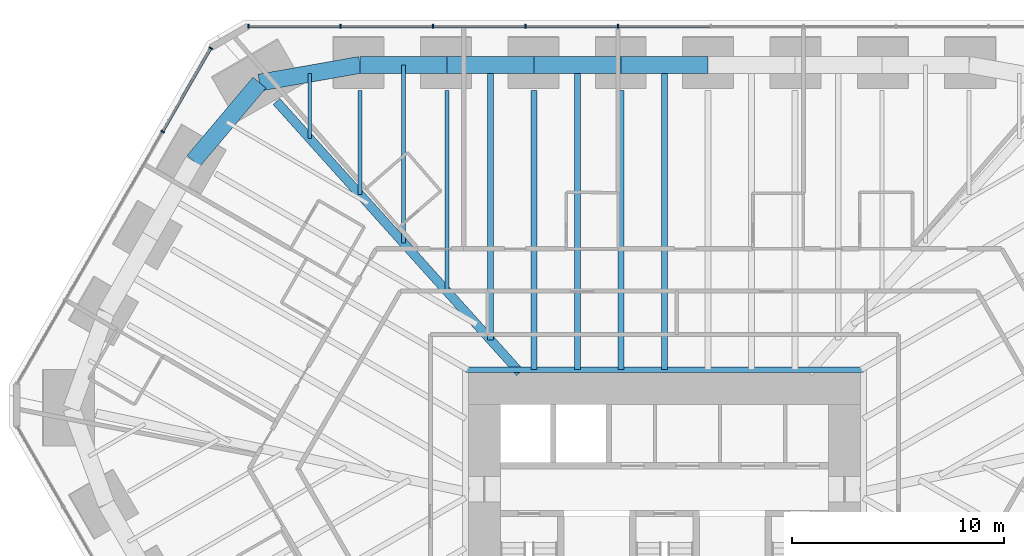
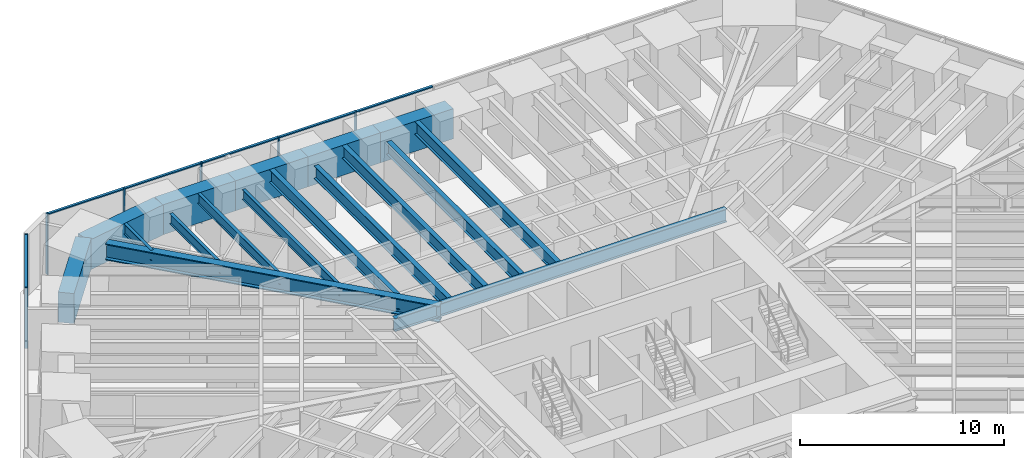
# One storey, part 8 of 17: 17 beams, 13 members, 2 elements without a shape of their own.
"""IFC4 building model written with IfcOpenShell, lengths in metres."""

from ifc_helpers import new_model, si_unit, direction, frame, origin, origin_2d, place, context, subcontext, project, spatial, rectangle, i_section, extrude, material, material_profile, profile_set, type_object, element, aggregate, save


model = new_model("IFC4")

# Units and contexts
model_context = context("Model", 3, precision=1e-05, world=origin(), true_north=direction((0.0, 1.0)))
body_context = subcontext(model_context, "Body", "Model", "MODEL_VIEW")
ifc_project = project(units=[si_unit("LENGTHUNIT", "METRE"), si_unit("AREAUNIT", "SQUARE_METRE"), si_unit("VOLUMEUNIT", "CUBIC_METRE"), si_unit("PLANEANGLEUNIT", "RADIAN"), si_unit("MASSUNIT", "GRAM", prefix="KILO")], contexts=[model_context])

# Site, building, storey
site_placement = place(None, origin())
site = spatial("IfcSite", under=ifc_project, at=site_placement, CompositionType="ELEMENT")
building_placement = place(site_placement, origin())
building = spatial("IfcBuilding", under=site, at=building_placement, Name="Sandreach Pilgrim Tower", CompositionType="ELEMENT")
storey_placement = place(building_placement, frame((0.0, 0.0, 68.60009765625)))
storey = spatial("IfcBuildingStorey", under=building, at=storey_placement, Name="L16", CompositionType="ELEMENT", Elevation=68.60009765625)

# Curtain wall, members
ifc_material_1 = material(Name="Aluminium framed curtain wall", Category="aluminium")
curtain_wall_type = type_object("IfcCurtainWallType", Name="Hostel tower curtain wall", PredefinedType="NOTDEFINED", material=ifc_material_1)
curtain_wall_1_placement = place(storey_placement, origin())
curtain_wall_1 = element("IfcCurtainWall", 1, at=curtain_wall_1_placement, inside=storey, type_object=curtain_wall_type, Name="CW-1 L16 N", PredefinedType="NOTDEFINED")
ifc_material_2 = material(Name="Aluminium extrusion", Category="aluminium")
ifc_material_profile_1 = material_profile(ifc_material_2, rectangle(XDim=0.06494140625, YDim=0.179931640625, at=origin_2d()), Name="CW-1M 65X180")
ifc_profile_set_1 = profile_set([ifc_material_profile_1], Name="Aluminium extrusion")
member_type_1 = type_object("IfcMemberType", Name="CW-1 mullion", PredefinedType="MULLION", material=ifc_profile_set_1)
member_1_placement = place(storey_placement, frame((-19.6396484375, 23.94873046875, 0.0), z_axis=(0.0, 0.0, 1.0), x_axis=(1.0, 0.0, 0.0)))
member_1 = element("IfcMember", 2, at=member_1_placement, type_object=member_type_1, Name="CW-1 mullion 1", PredefinedType="MULLION", context=body_context, shape_type="SweptSolid", body=[
    extrude(rectangle(XDim=0.06494140625, YDim=0.179931640625, at=origin_2d()), origin(), (0.0, 0.0, 1.0), 3.639892578125),
])
member_2_placement = place(storey_placement, frame((-15.300537109375, 23.94873046875, 0.0), z_axis=(0.0, 0.0, 1.0), x_axis=(1.0, 0.0, 0.0)))
member_2 = element("IfcMember", 3, at=member_2_placement, type_object=member_type_1, Name="CW-1 mullion 2", PredefinedType="MULLION", context=body_context, shape_type="SweptSolid", body=[
    extrude(rectangle(XDim=0.06494140625, YDim=0.179931640625, at=origin_2d()), origin(), (0.0, 0.0, 1.0), 3.639892578125),
])
member_3_placement = place(storey_placement, frame((-10.928955078125, 23.94873046875, 0.0), z_axis=(0.0, 0.0, 1.0), x_axis=(1.0, 0.0, 0.0)))
member_3 = element("IfcMember", 4, at=member_3_placement, type_object=member_type_1, Name="CW-1 mullion 3", PredefinedType="MULLION", context=body_context, shape_type="SweptSolid", body=[
    extrude(rectangle(XDim=0.06494140625, YDim=0.179931640625, at=origin_2d()), origin(), (0.0, 0.0, 1.0), 3.639892578125),
])
member_4_placement = place(storey_placement, frame((-6.557373046875, 23.94873046875, 0.0), z_axis=(0.0, 0.0, 1.0), x_axis=(1.0, 0.0, 0.0)))
member_4 = element("IfcMember", 5, at=member_4_placement, type_object=member_type_1, Name="CW-1 mullion 4", PredefinedType="MULLION", context=body_context, shape_type="SweptSolid", body=[
    extrude(rectangle(XDim=0.06494140625, YDim=0.179931640625, at=origin_2d()), origin(), (0.0, 0.0, 1.0), 3.639892578125),
])
member_5_placement = place(storey_placement, frame((-2.185791015625, 23.94873046875, 0.0), z_axis=(0.0, 0.0, 1.0), x_axis=(1.0, 0.0, 0.0)))
member_5 = element("IfcMember", 6, at=member_5_placement, type_object=member_type_1, Name="CW-1 mullion 5", PredefinedType="MULLION", context=body_context, shape_type="SweptSolid", body=[
    extrude(rectangle(XDim=0.06494140625, YDim=0.179931640625, at=origin_2d()), origin(), (0.0, 0.0, 1.0), 3.639892578125),
])

curtain_wall_2_placement = place(storey_placement, origin())
curtain_wall_2 = element("IfcCurtainWall", 7, at=curtain_wall_2_placement, inside=storey, type_object=curtain_wall_type, Name="CW-1 L16 NW", PredefinedType="NOTDEFINED")
member_6_placement = place(storey_placement, frame((-23.697265625, 18.97705078125, 0.0), z_axis=(0.0, 0.0, 1.0), x_axis=(0.5, 0.866025403784, 0.0)))
member_6 = element("IfcMember", 8, at=member_6_placement, type_object=member_type_1, Name="CW-1 mullion 4", PredefinedType="MULLION", context=body_context, shape_type="SweptSolid", body=[
    extrude(rectangle(XDim=0.06494140625, YDim=0.179931640625, at=origin_2d()), origin(), (0.0, 0.0, 1.0), 3.639892578125),
])
member_7_placement = place(storey_placement, frame((-21.42041015625, 22.920654296875, 0.0), z_axis=(0.0, 0.0, 1.0), x_axis=(0.5, 0.866025403784, 0.0)))
member_7 = element("IfcMember", 9, at=member_7_placement, type_object=member_type_1, Name="CW-1 mullion 5", PredefinedType="MULLION", context=body_context, shape_type="SweptSolid", body=[
    extrude(rectangle(XDim=0.06494140625, YDim=0.179931640625, at=origin_2d()), origin(), (0.0, 0.0, 1.0), 3.639892578125),
])

# Member
ifc_material_3 = material(Name="Aluminium extrusion", Category="aluminium")
ifc_material_profile_2 = material_profile(ifc_material_3, rectangle(XDim=0.139892578125, YDim=0.070068359375, at=origin_2d()), Name="CW-1T 140X70")
ifc_profile_set_2 = profile_set([ifc_material_profile_2], Name="Aluminium extrusion")
member_type_2 = type_object("IfcMemberType", Name="CW-1 transom", PredefinedType="USERDEFINED", material=ifc_profile_set_2)
member_8_placement = place(storey_placement, frame((-19.607177734375, 23.94873046875, 3.60498046875), z_axis=(1.0, 0.0, 0.0), x_axis=(0.0, 1.0, 0.0)))
member_8 = element("IfcMember", 10, at=member_8_placement, type_object=member_type_2, Name="CW-1 head transom 1", ObjectType="TRANSOM", PredefinedType="USERDEFINED", context=body_context, shape_type="SweptSolid", body=[
    extrude(rectangle(XDim=0.139892578125, YDim=0.070068359375, at=origin_2d()), origin(), (0.0, 0.0, 1.0), 4.274169921875),
])

member_9_placement = place(storey_placement, frame((-15.26806640625, 23.94873046875, 3.60498046875), z_axis=(1.0, 0.0, 0.0), x_axis=(0.0, 1.0, 0.0)))
member_9 = element("IfcMember", 11, at=member_9_placement, type_object=member_type_2, Name="CW-1 head transom 2", ObjectType="TRANSOM", PredefinedType="USERDEFINED", context=body_context, shape_type="SweptSolid", body=[
    extrude(rectangle(XDim=0.139892578125, YDim=0.070068359375, at=origin_2d()), origin(), (0.0, 0.0, 1.0), 4.306640625),
])

member_10_placement = place(storey_placement, frame((-10.896484375, 23.94873046875, 3.60498046875), z_axis=(1.0, 0.0, 0.0), x_axis=(0.0, 1.0, 0.0)))
member_10 = element("IfcMember", 12, at=member_10_placement, type_object=member_type_2, Name="CW-1 head transom 3", ObjectType="TRANSOM", PredefinedType="USERDEFINED", context=body_context, shape_type="SweptSolid", body=[
    extrude(rectangle(XDim=0.139892578125, YDim=0.070068359375, at=origin_2d()), origin(), (0.0, 0.0, 1.0), 4.306640625),
])

member_11_placement = place(storey_placement, frame((-6.52490234375, 23.94873046875, 3.60498046875), z_axis=(1.0, 0.0, 0.0), x_axis=(0.0, 1.0, 0.0)))
member_11 = element("IfcMember", 13, at=member_11_placement, type_object=member_type_2, Name="CW-1 head transom 4", ObjectType="TRANSOM", PredefinedType="USERDEFINED", context=body_context, shape_type="SweptSolid", body=[
    extrude(rectangle(XDim=0.139892578125, YDim=0.070068359375, at=origin_2d()), origin(), (0.0, 0.0, 1.0), 4.306640625),
])

member_12_placement = place(storey_placement, frame((-2.1533203125, 23.94873046875, 3.60498046875), z_axis=(1.0, 0.0, 0.0), x_axis=(0.0, 1.0, 0.0)))
member_12 = element("IfcMember", 14, at=member_12_placement, type_object=member_type_2, Name="CW-1 head transom 5", ObjectType="TRANSOM", PredefinedType="USERDEFINED", context=body_context, shape_type="SweptSolid", body=[
    extrude(rectangle(XDim=0.139892578125, YDim=0.070068359375, at=origin_2d()), origin(), (0.0, 0.0, 1.0), 4.306640625),
])

aggregate(curtain_wall_1, [member_1, member_2, member_3, member_4, member_5, member_8, member_9, member_10, member_11, member_12])

member_13_placement = place(storey_placement, frame((-23.680908203125, 19.005126953125, 3.60498046875), z_axis=(0.500017500808, 0.866015299452, 0.0), x_axis=(-0.866015299452, 0.500017500808, 0.0)))
member_13 = element("IfcMember", 15, at=member_13_placement, type_object=member_type_2, Name="CW-1 head transom 4", ObjectType="TRANSOM", PredefinedType="USERDEFINED", context=body_context, shape_type="SweptSolid", body=[
    extrude(rectangle(XDim=0.139892578125, YDim=0.070068359375, at=origin_2d()), origin(), (0.0, 0.0, 1.0), 4.488525390625),
])

aggregate(curtain_wall_2, [member_6, member_7, member_13])

# Beams
ifc_material_4 = material(Name="Steel ASTM A992 Grade 50", Category="steel")
ifc_material_profile_3 = material_profile(ifc_material_4, i_section(OverallWidth=0.2666015625, OverallDepth=0.77978515625, WebThickness=0.0166015625, FlangeThickness=0.030029296875, at=origin_2d()), Name="W30X148")
ifc_profile_set_3 = profile_set([ifc_material_profile_3], Name="Steel ASTM A992 Grade 50")
beam_type_1 = type_object("IfcBeamType", Name="Core edge beam W30X148", PredefinedType="BEAM", material=ifc_profile_set_3)
beam_1_placement = place(storey_placement, frame((-9.393310546875, 7.743408203125, 3.25), z_axis=(1.0, 0.0, 0.0), x_axis=(0.0, 1.0, 0.0)))
element("IfcBeam", 16, at=beam_1_placement, inside=storey, type_object=beam_type_1, Name="BM L16 CEN", PredefinedType="BEAM", context=body_context, shape_type="SweptSolid", body=[
    extrude(i_section(OverallWidth=0.2666015625, OverallDepth=0.77978515625, WebThickness=0.0166015625, FlangeThickness=0.030029296875, at=origin_2d()), origin(), (0.0, 0.0, 1.0), 18.78662109375),
])
ifc_material_5 = material(Name="Steel ASTM A992 Grade 50", Category="steel")
ifc_material_profile_4 = material_profile(ifc_material_5, i_section(OverallWidth=0.4267578125, OverallDepth=0.975341796875, WebThickness=0.031005859375, FlangeThickness=0.055908203125, at=origin_2d()), Name="W36X395")
ifc_profile_set_4 = profile_set([ifc_material_profile_4], Name="Steel ASTM A992 Grade 50")
beam_type_2 = type_object("IfcBeamType", Name="Corner girder W36X395", PredefinedType="BEAM", material=ifc_profile_set_4)
beam_2_placement = place(storey_placement, frame((-18.318359375, 20.400390625, 3.15234375), z_axis=(0.668125373618, -0.744048711529, 0.0), x_axis=(0.744048711529, 0.668125373618, 0.0)))
element("IfcBeam", 17, at=beam_2_placement, inside=storey, type_object=beam_type_2, Name="BM L16 CG39", PredefinedType="BEAM", context=body_context, shape_type="SweptSolid", body=[
    extrude(i_section(OverallWidth=0.4267578125, OverallDepth=0.975341796875, WebThickness=0.031005859375, FlangeThickness=0.055908203125, at=origin_2d()), origin(), (0.0, 0.0, 1.0), 17.20361328125),
])
ifc_material_6 = material(Name="Steel ASTM A992 Grade 50", Category="steel")
ifc_material_profile_5 = material_profile(ifc_material_6, i_section(OverallWidth=0.1787109375, OverallDepth=0.60205078125, WebThickness=0.010986328125, FlangeThickness=0.014892578125, at=origin_2d()), Name="W24X62")
ifc_profile_set_5 = profile_set([ifc_material_profile_5], Name="Steel ASTM A992 Grade 50")
beam_type_3 = type_object("IfcBeamType", Name="Floor beam W24X62", PredefinedType="BEAM", material=ifc_profile_set_5)
beam_3_placement = place(storey_placement, frame((-14.3720703125, 20.93017578125, 3.3388671875), z_axis=(0.0, -1.0, 0.0), x_axis=(1.0, 0.0, 0.0)))
element("IfcBeam", 18, at=beam_3_placement, inside=storey, type_object=beam_type_3, Name="BM L16 F01", PredefinedType="BEAM", context=body_context, shape_type="SweptSolid", body=[
    extrude(i_section(OverallWidth=0.1787109375, OverallDepth=0.60205078125, WebThickness=0.010986328125, FlangeThickness=0.014892578125, at=origin_2d()), origin(), (0.0, 0.0, 1.0), 4.924560546875),
])
beam_4_placement = place(storey_placement, frame((-10.265625, 20.93017578125, 3.3388671875), z_axis=(0.0, -1.0, 0.0), x_axis=(1.0, 0.0, 0.0)))
element("IfcBeam", 19, at=beam_4_placement, inside=storey, type_object=beam_type_3, Name="BM L16 F02", PredefinedType="BEAM", context=body_context, shape_type="SweptSolid", body=[
    extrude(i_section(OverallWidth=0.1787109375, OverallDepth=0.60205078125, WebThickness=0.010986328125, FlangeThickness=0.014892578125, at=origin_2d()), origin(), (0.0, 0.0, 1.0), 9.49755859375),
])
beam_5_placement = place(storey_placement, frame((-12.31884765625, 22.13037109375, 3.3388671875), z_axis=(0.0, -1.0, 0.0), x_axis=(1.0, 0.0, 0.0)))
element("IfcBeam", 20, at=beam_5_placement, inside=storey, type_object=beam_type_3, Name="BM L16 FM01", PredefinedType="BEAM", context=body_context, shape_type="SweptSolid", body=[
    extrude(i_section(OverallWidth=0.1787109375, OverallDepth=0.60205078125, WebThickness=0.010986328125, FlangeThickness=0.014892578125, at=origin_2d()), origin(), (0.0, 0.0, 1.0), 8.411376953125),
])
beam_6_placement = place(storey_placement, frame((-16.74609375, 21.711669921875, 3.3388671875), z_axis=(0.0, -1.0, 0.0), x_axis=(1.0, 0.0, 0.0)))
element("IfcBeam", 21, at=beam_6_placement, inside=storey, type_object=beam_type_3, Name="BM L16 FM39", PredefinedType="BEAM", context=body_context, shape_type="SweptSolid", body=[
    extrude(i_section(OverallWidth=0.1787109375, OverallDepth=0.60205078125, WebThickness=0.010986328125, FlangeThickness=0.014892578125, at=origin_2d()), origin(), (0.0, 0.0, 1.0), 3.062255859375),
])
ifc_material_7 = material(Name="Steel ASTM A992 Grade 50", Category="steel")
ifc_material_profile_6 = material_profile(ifc_material_7, i_section(OverallWidth=0.2666015625, OverallDepth=0.761962890625, WebThickness=0.014404296875, FlangeThickness=0.021484375, at=origin_2d()), Name="W30X116")
ifc_profile_set_6 = profile_set([ifc_material_profile_6], Name="Steel ASTM A992 Grade 50")
beam_type_4 = type_object("IfcBeamType", Name="Floor beam W30X116", PredefinedType="BEAM", material=ifc_profile_set_6)
for number, where, z_axis, x_axis, name in (
    (22, (-6.159423828125, 20.93017578125, 3.2587890625), (0.0, -1.0, 0.0), (1.0, 0.0, 0.0), "BM L16 F03"),
    (23, (-2.05322265625, 20.93017578125, 3.2587890625), (0.0, -1.0, 0.0), (1.0, 0.0, 0.0), "BM L16 F04"),
):
    element("IfcBeam", number, at=place(storey_placement, frame(where, z_axis=z_axis, x_axis=x_axis)), inside=storey, type_object=beam_type_4, Name=name, PredefinedType="BEAM", context=body_context, shape_type="SweptSolid", body=[
        extrude(i_section(OverallWidth=0.2666015625, OverallDepth=0.761962890625, WebThickness=0.014404296875, FlangeThickness=0.021484375, at=origin_2d()), origin(), (0.0, 0.0, 1.0), 13.186767578125),
    ])
beam_7_placement = place(storey_placement, frame((-8.212646484375, 22.13037109375, 3.2587890625), z_axis=(0.0, -1.0, 0.0), x_axis=(1.0, 0.0, 0.0)))
element("IfcBeam", 24, at=beam_7_placement, inside=storey, type_object=beam_type_4, Name="BM L16 FM02", PredefinedType="BEAM", context=body_context, shape_type="SweptSolid", body=[
    extrude(i_section(OverallWidth=0.2666015625, OverallDepth=0.761962890625, WebThickness=0.014404296875, FlangeThickness=0.021484375, at=origin_2d()), origin(), (0.0, 0.0, 1.0), 12.984375),
])
for number, where, z_axis, x_axis, name in (
    (25, (-4.106201171875, 22.13037109375, 3.2587890625), (0.0, -1.0, 0.0), (1.0, 0.0, 0.0), "BM L16 FM03"),
    (26, (0.0, 22.13037109375, 3.2587890625), (0.0, -1.0, 0.0), (1.0, 0.0, 0.0), "BM L16 FM04"),
):
    element("IfcBeam", number, at=place(storey_placement, frame(where, z_axis=z_axis, x_axis=x_axis)), inside=storey, type_object=beam_type_4, Name=name, PredefinedType="BEAM", context=body_context, shape_type="SweptSolid", body=[
        extrude(i_section(OverallWidth=0.2666015625, OverallDepth=0.761962890625, WebThickness=0.014404296875, FlangeThickness=0.021484375, at=origin_2d()), origin(), (0.0, 0.0, 1.0), 14.386962890625),
    ])
ifc_material_8 = material(Name="Concrete 10000 psi", Category="concrete")
ifc_material_profile_7 = material_profile(ifc_material_8, rectangle(XDim=0.800048828125, YDim=1.800048828125, at=origin_2d()), Name="RC800X1800")
ifc_profile_set_7 = profile_set([ifc_material_profile_7], Name="Concrete 10000 psi")
beam_type_5 = type_object("IfcBeamType", Name="Spandrel beam RC800X1800", PredefinedType="SPANDREL", material=ifc_profile_set_7)
beam_8_placement = place(storey_placement, frame((-14.3720703125, 22.13037109375, 2.739990234375), z_axis=(1.0, 0.0, 0.0), x_axis=(0.0, 1.0, 0.0)))
element("IfcBeam", 27, at=beam_8_placement, inside=storey, type_object=beam_type_5, Name="BM L16 SP01", PredefinedType="SPANDREL", context=body_context, shape_type="SweptSolid", body=[
    extrude(rectangle(XDim=0.800048828125, YDim=1.800048828125, at=origin_2d()), origin(), (0.0, 0.0, 1.0), 4.1064453125),
])
for number, where, z_axis, x_axis, name in (
    (28, (-10.265625, 22.13037109375, 2.739990234375), (1.0, 0.0, 0.0), (0.0, 1.0, 0.0), "BM L16 SP02"),
    (29, (-6.159423828125, 22.13037109375, 2.739990234375), (1.0, 0.0, 0.0), (0.0, 1.0, 0.0), "BM L16 SP03"),
):
    element("IfcBeam", number, at=place(storey_placement, frame(where, z_axis=z_axis, x_axis=x_axis)), inside=storey, type_object=beam_type_5, Name=name, PredefinedType="SPANDREL", context=body_context, shape_type="SweptSolid", body=[
        extrude(rectangle(XDim=0.800048828125, YDim=1.800048828125, at=origin_2d()), origin(), (0.0, 0.0, 1.0), 4.106201171875),
    ])
beam_9_placement = place(storey_placement, frame((-2.05322265625, 22.13037109375, 2.739990234375), z_axis=(1.0, 0.0, 0.0), x_axis=(0.0, 1.0, 0.0)))
element("IfcBeam", 30, at=beam_9_placement, inside=storey, type_object=beam_type_5, Name="BM L16 SP04", PredefinedType="SPANDREL", context=body_context, shape_type="SweptSolid", body=[
    extrude(rectangle(XDim=0.800048828125, YDim=1.800048828125, at=origin_2d()), origin(), (0.0, 0.0, 1.0), 4.1064453125),
])
beam_10_placement = place(storey_placement, frame((-22.234619140625, 17.59423828125, 2.739990234375), z_axis=(0.644084437333, 0.764954402292, 0.0), x_axis=(-0.764954402292, 0.644084437333, 0.0)))
element("IfcBeam", 31, at=beam_10_placement, inside=storey, type_object=beam_type_5, Name="BM L16 SP38", PredefinedType="SPANDREL", context=body_context, shape_type="SweptSolid", body=[
    extrude(rectangle(XDim=0.800048828125, YDim=1.800048828125, at=origin_2d()), origin(), (0.0, 0.0, 1.0), 4.83544921875),
])
beam_11_placement = place(storey_placement, frame((-19.1201171875, 21.293212890625, 2.739990234375), z_axis=(0.984809546548, 0.173638005713, 0.0), x_axis=(-0.173638005713, 0.984809546548, 0.0)))
element("IfcBeam", 32, at=beam_11_placement, inside=storey, type_object=beam_type_5, Name="BM L16 SP39", PredefinedType="SPANDREL", context=body_context, shape_type="SweptSolid", body=[
    extrude(rectangle(XDim=0.800048828125, YDim=1.800048828125, at=origin_2d()), origin(), (0.0, 0.0, 1.0), 4.8212890625),
])

save(model, "model.ifc")
